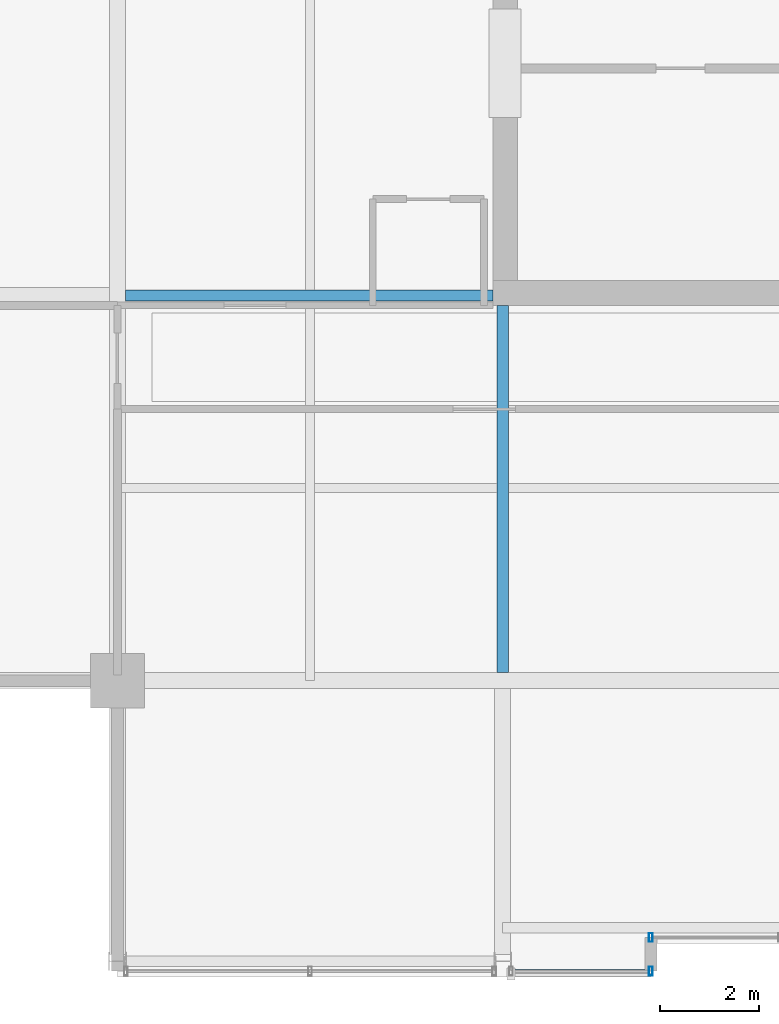
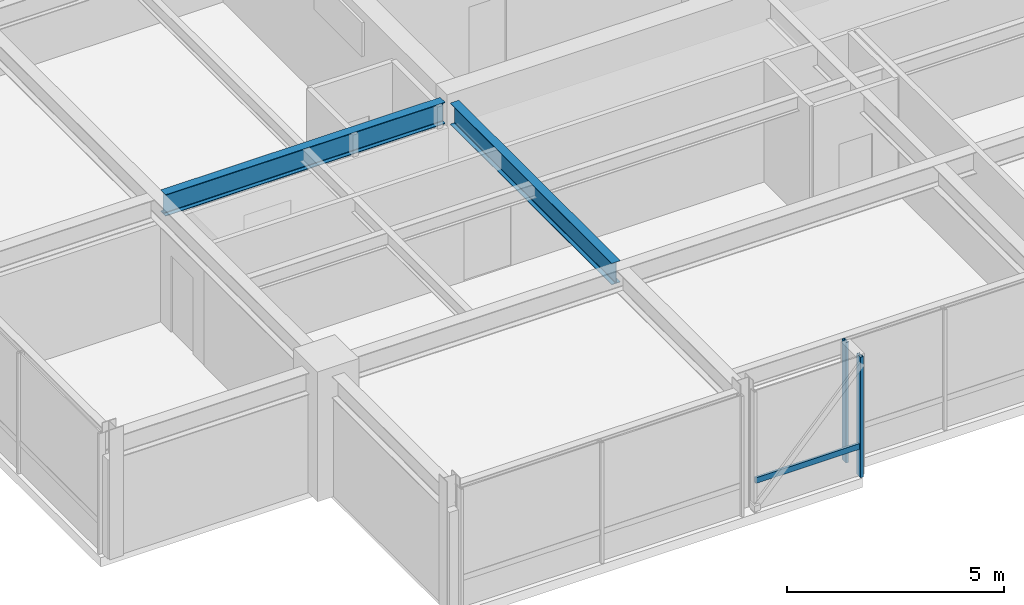
# One storey, part 6 of 33: 3 members, 2 beams, 2 elements without a shape of their own.
"""IFC4 building model written with IfcOpenShell, lengths in metres."""

from ifc_helpers import new_model, si_unit, direction, frame, origin, origin_2d, place, context, subcontext, project, spatial, hollow_rectangle, i_section, extrude, material, layer, layer_set, material_profile, profile_set, type_object, element, aggregate, save


model = new_model("IFC4")

# Units and contexts
model_context = context("Model", 3, precision=1e-05, world=origin(), true_north=direction((0.0, 1.0)))
body_context = subcontext(model_context, "Body", "Model", "MODEL_VIEW")
ifc_project = project(units=[si_unit("LENGTHUNIT", "METRE"), si_unit("AREAUNIT", "SQUARE_METRE"), si_unit("VOLUMEUNIT", "CUBIC_METRE"), si_unit("PLANEANGLEUNIT", "RADIAN"), si_unit("MASSUNIT", "GRAM", prefix="KILO")], contexts=[model_context])

# Site, building, storey
site_placement = place(None, origin())
site = spatial("IfcSite", under=ifc_project, at=site_placement, CompositionType="ELEMENT")
building_placement = place(site_placement, origin())
building = spatial("IfcBuilding", under=site, at=building_placement, Name="Drelvath Grand Hotel", CompositionType="ELEMENT")
storey_placement = place(building_placement, frame((0.0, 0.0, 283.25)))
storey = spatial("IfcBuildingStorey", under=building, at=storey_placement, Name="L74", CompositionType="ELEMENT", Elevation=283.25)

# Curtain wall, member
ifc_material_1 = material(Name="Platinum-Mist Anodised Aluminium Frame", Category="aluminium")
ifc_layer = layer(ifc_material_1, 0.199951171875)
ifc_layer_set = layer_set([ifc_layer], Name="Platinum-Mist Anodised Aluminium Frame")
curtain_wall_type = type_object("IfcCurtainWallType", Name="Stick Curtain Wall CW-05 Platinum Mist High-Rise", PredefinedType="NOTDEFINED", material=ifc_layer_set)
curtain_wall_1_placement = place(storey_placement, origin())
curtain_wall_1 = element("IfcCurtainWall", 1, at=curtain_wall_1_placement, inside=storey, type_object=curtain_wall_type, Name="L74 CW-05 Curtain Wall CW05-L74-SW2", PredefinedType="NOTDEFINED")
ifc_material_profile_1 = material_profile(ifc_material_1, hollow_rectangle(XDim=0.06494140625, YDim=0.159912109375, WallThickness=0.00390625, at=origin_2d()), Name="HSS160X65X4")
ifc_profile_set_1 = profile_set([ifc_material_profile_1], Name="Platinum-Mist Anodised Aluminium Frame")
member_type_1 = type_object("IfcMemberType", Name="Curtain Wall Horizontal Transom CW-05 HSS160X65X4", PredefinedType="USERDEFINED", material=ifc_profile_set_1)
member_1_placement = place(storey_placement, frame((-5.43994140625, 4.919921875, 0.847412109375), z_axis=(-1.0, 0.0, 0.0), x_axis=(0.0, -1.0, 0.0)))
member_1 = element("IfcMember", 2, at=member_1_placement, type_object=member_type_1, Name="CW05-L74-SW2 Sill Transom", ObjectType="TRANSOM", PredefinedType="USERDEFINED", context=body_context, shape_type="SweptSolid", body=[
    extrude(hollow_rectangle(XDim=0.06494140625, YDim=0.159912109375, WallThickness=0.00390625, at=origin_2d()), origin(), (0.0, 0.0, 1.0), 2.75),
])

curtain_wall_2_placement = place(storey_placement, origin())
curtain_wall_2 = element("IfcCurtainWall", 3, at=curtain_wall_2_placement, inside=storey, type_object=curtain_wall_type, Name="L74 CW-05 Curtain Wall CW05-L74-SM1", PredefinedType="NOTDEFINED")
ifc_material_profile_2 = material_profile(ifc_material_1, hollow_rectangle(XDim=0.074951171875, YDim=0.179931640625, WallThickness=0.0048828125, at=origin_2d()), Name="HSS180X75X5")
ifc_profile_set_2 = profile_set([ifc_material_profile_2], Name="Platinum-Mist Anodised Aluminium Frame")
member_type_2 = type_object("IfcMemberType", Name="Curtain Wall Vertical Mullion CW-05 HSS180X75X5", PredefinedType="MULLION", material=ifc_profile_set_2)
member_2_placement = place(storey_placement, frame((-5.39990234375, 5.60009765625, 0.0), z_axis=(0.0, 0.0, 1.0), x_axis=(1.0, 0.0, 0.0)))
member_2 = element("IfcMember", 4, at=member_2_placement, type_object=member_type_2, Name="CW05-L74-SM1 Mullion 3", PredefinedType="MULLION", context=body_context, shape_type="SweptSolid", body=[
    extrude(hollow_rectangle(XDim=0.074951171875, YDim=0.179931640625, WallThickness=0.0048828125, at=origin_2d()), origin(), (0.0, 0.0, 1.0), 3.389892578125),
])
aggregate(curtain_wall_2, [member_2])

# Member
member_3_placement = place(storey_placement, frame((-5.39990234375, 4.919921875, 0.0), z_axis=(0.0, 0.0, 1.0), x_axis=(1.0, 0.0, 0.0)))
member_3 = element("IfcMember", 5, at=member_3_placement, type_object=member_type_2, Name="CW05-L74-SW2 Mullion 1", PredefinedType="MULLION", context=body_context, shape_type="SweptSolid", body=[
    extrude(hollow_rectangle(XDim=0.074951171875, YDim=0.179931640625, WallThickness=0.0048828125, at=origin_2d()), origin(), (0.0, 0.0, 1.0), 3.389892578125),
])

aggregate(curtain_wall_1, [member_3, member_1])

# Beams
ifc_material_2 = material(Name="Steel ASTM A992 Gr 50", Category="steel")
ifc_material_profile_3 = material_profile(ifc_material_2, i_section(OverallWidth=0.228271484375, OverallDepth=0.607666015625, WebThickness=0.01123046875, FlangeThickness=0.017333984375, FilletRadius=0.02001953125, at=origin_2d()), Name="W24X76")
ifc_profile_set_3 = profile_set([ifc_material_profile_3], Name="Steel ASTM A992 Gr 50")
beam_type = type_object("IfcBeamType", Name="Primary Floor Girder W24X76", PredefinedType="BEAM", material=ifc_profile_set_3)
for number, where, z_axis, x_axis, name in (
    (6, (-16.0380859375, 18.60009765625, 3.086181640625), (1.0, 0.0, 0.0), (0.0, 1.0, 0.0), "L74 West Core Tie D"),
    (7, (-8.39990234375, 10.9619140625, 3.086181640625), (0.0, 1.0, 0.0), (-1.0, 0.0, 0.0), "L74 South Core Tie 4"),
):
    element("IfcBeam", number, at=place(storey_placement, frame(where, z_axis=z_axis, x_axis=x_axis)), inside=storey, type_object=beam_type, Name=name, PredefinedType="BEAM", context=body_context, shape_type="SweptSolid", body=[
        extrude(i_section(OverallWidth=0.228271484375, OverallDepth=0.607666015625, WebThickness=0.01123046875, FlangeThickness=0.017333984375, FilletRadius=0.02001953125, at=origin_2d()), origin(), (0.0, 0.0, 1.0), 7.43798828125),
    ])

save(model, "model.ifc")
